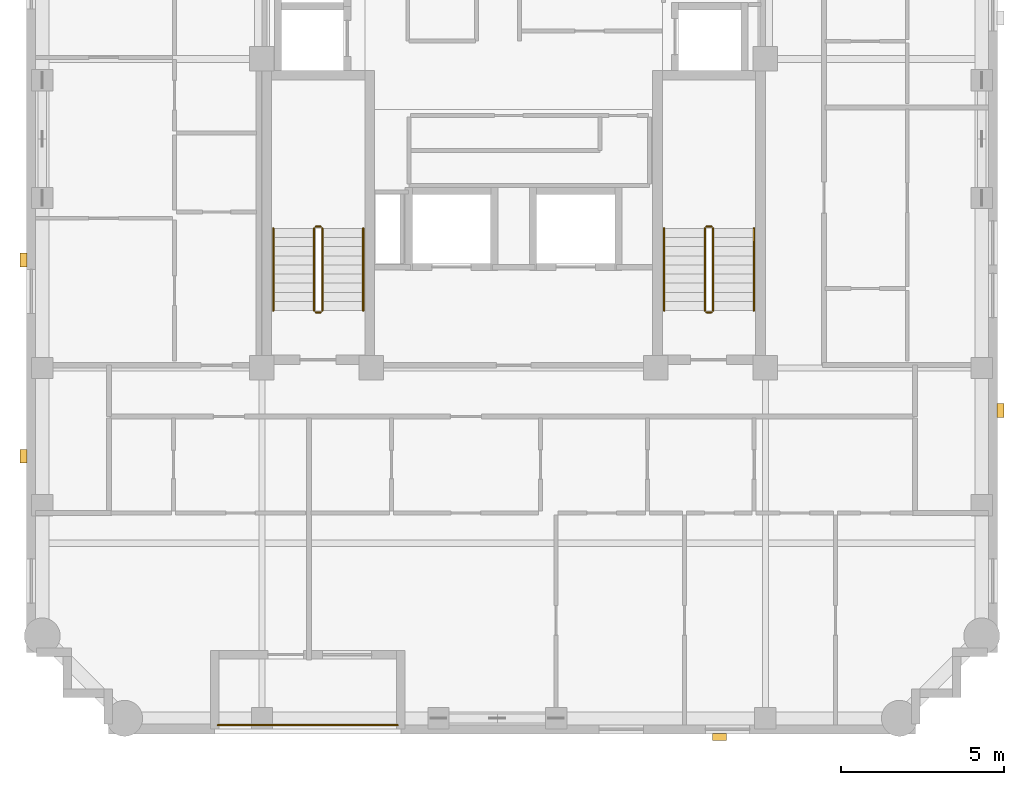
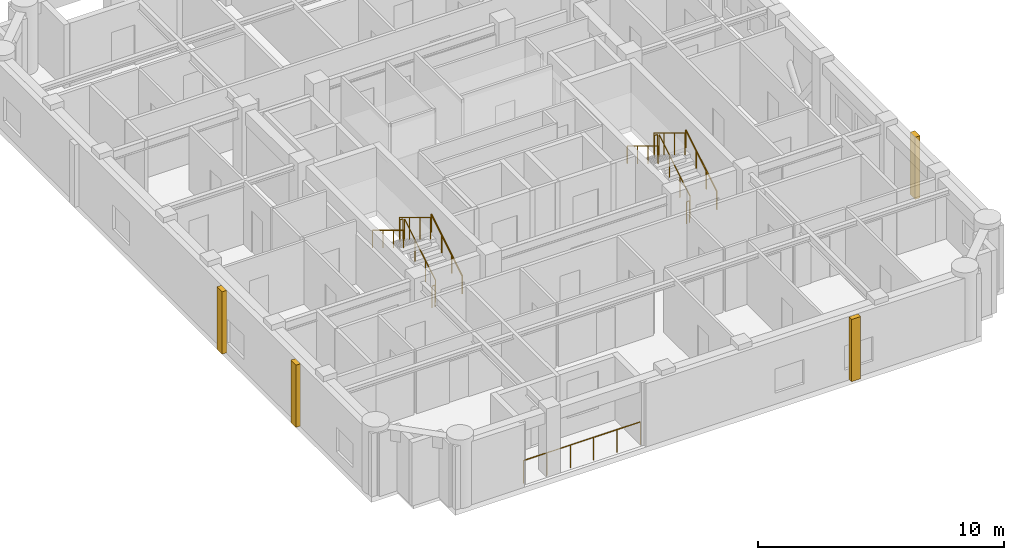
# One storey, part 9 of 10: 13 railings, 4 coverings.
"""IFC4 building model written with IfcOpenShell, lengths in metres."""

from ifc_helpers import new_model, si_unit, derived_unit, direction, frame, origin, origin_2d, place, context, subcontext, project, spatial, rectangle, circle, extrude, material, layer, layer_set, type_object, element, save


model = new_model("IFC4")

# Units and contexts
model_context = context("Model", 3, precision=1e-05, world=origin(), true_north=direction((0.0, 1.0)))
body_context = subcontext(model_context, "Body", "Model", "MODEL_VIEW")
ifc_project = project(units=[si_unit("LENGTHUNIT", "METRE"), si_unit("AREAUNIT", "SQUARE_METRE"), si_unit("VOLUMEUNIT", "CUBIC_METRE"), si_unit("PLANEANGLEUNIT", "RADIAN"), si_unit("MASSUNIT", "GRAM", prefix="KILO"), derived_unit("THERMALTRANSMITTANCEUNIT", [(si_unit("MASSUNIT", "GRAM", prefix="KILO"), 1), (si_unit("TIMEUNIT", "SECOND"), -3), (si_unit("THERMODYNAMICTEMPERATUREUNIT", "KELVIN"), -1)])], contexts=[model_context])

# Site, building, storey
site_placement = place(None, origin())
site = spatial("IfcSite", under=ifc_project, at=site_placement, CompositionType="ELEMENT")
building_placement = place(site_placement, origin())
building = spatial("IfcBuilding", under=site, at=building_placement, Name="Korrvale Station Residences", CompositionType="ELEMENT")
storey_placement = place(building_placement, frame((0.0, 0.0, 217.300048828125)))
storey = spatial("IfcBuildingStorey", under=building, at=storey_placement, Name="L63", CompositionType="ELEMENT", Elevation=217.300048828125)

# Coverings
ifc_material_1 = material(Name="Architectural precast concrete C45/55", Category="concrete")
ifc_layer = layer(ifc_material_1, 0.219970703125, Name="Architectural precast concrete C45/55")
ifc_layer_set = layer_set([ifc_layer], Name="Architectural precast concrete C45/55")
covering_type = type_object("IfcCoveringType", Name="COV-PIER-400", PredefinedType="CLADDING", material=ifc_layer_set)
for number, where, z_axis, x_axis, name in (
    (1, (31.800048828125, 3.7099609375, 0.02490234375), (0.0, 0.0, 1.0), (1.0, 0.0, 0.0), "L63 Architectural Precast Facade Pier 01"),
    (2, (10.510009765625, 12.300048828125, 0.02490234375), (0.0, 0.0, 1.0), (0.0, 1.0, 0.0), "L63 Architectural Precast Facade Pier 02"),
    (3, (10.510009765625, 18.300048828125, 0.02490234375), (0.0, 0.0, 1.0), (0.0, 1.0, 0.0), "L63 Architectural Precast Facade Pier 03"),
    (4, (40.389892578125, 13.699951171875, 0.02490234375), (0.0, 0.0, 1.0), (0.0, 1.0, 0.0), "L63 Architectural Precast Facade Pier 07"),
):
    element("IfcCovering", number, at=place(storey_placement, frame(where, z_axis=z_axis, x_axis=x_axis)), inside=storey, type_object=covering_type, Name=name, PredefinedType="CLADDING", context=body_context, shape_type="SweptSolid", body=[
        extrude(rectangle(XDim=0.419921875, YDim=0.219970703125, at=origin_2d()), origin(), (0.0, 0.0, 1.0), 3.090087890625),
    ])

# Railings
ifc_material_2 = material(Name="Powder-coated aluminium picket loggia guard", Category="aluminium")
railing_type_1 = type_object("IfcRailingType", Name="RLG-BAL-1150", PredefinedType="GUARDRAIL", material=ifc_material_2)
railing_1_placement = place(storey_placement, frame((16.449951171875, 4.070068359375, 0.0)))
element("IfcRailing", 5, at=railing_1_placement, inside=storey, type_object=railing_type_1, Name="L63 Recessed Loggia Guardrail BAL-L63-S1", PredefinedType="GUARDRAIL", context=body_context, shape_type="SweptSolid", body=[
    extrude(circle(Radius=0.02392578125, at=origin_2d()), frame((0.0, 0.0, 1.1259765625), z_axis=(1.0, 0.0, 0.0), x_axis=(0.0, 1.0, 0.0)), (0.0, 0.0, 1.0), 5.5),
    extrude(circle(Radius=0.02099609375, at=origin_2d()), origin(), (0.0, 0.0, 1.0), 1.101806640625),
    extrude(circle(Radius=0.02099609375, at=origin_2d()), frame((1.10009765625, 0.0, 0.0)), (0.0, 0.0, 1.0), 1.101806640625),
    extrude(circle(Radius=0.02099609375, at=origin_2d()), frame((2.199951171875, 0.0, 0.0)), (0.0, 0.0, 1.0), 1.101806640625),
    extrude(circle(Radius=0.02099609375, at=origin_2d()), frame((3.300048828125, 0.0, 0.0)), (0.0, 0.0, 1.0), 1.101806640625),
    extrude(circle(Radius=0.02099609375, at=origin_2d()), frame((4.39990234375, 0.0, 0.0)), (0.0, 0.0, 1.0), 1.101806640625),
    extrude(circle(Radius=0.02099609375, at=origin_2d()), frame((5.5, 0.0, 0.0)), (0.0, 0.0, 1.0), 1.101806640625),
])
ifc_material_3 = material(Name="Brushed stainless-steel continuous stair handrail", Category="steel")
railing_type_2 = type_object("IfcRailingType", Name="RLG-SHND-900", PredefinedType="HANDRAIL", material=ifc_material_3)
railing_2_placement = place(storey_placement, frame((20.89990234375, 16.75, 0.169921875)))
element("IfcRailing", 6, at=railing_2_placement, inside=storey, type_object=railing_type_2, Name="L63 ST-1 stair handrail 1", PredefinedType="HANDRAIL", context=body_context, shape_type="SweptSolid", body=[
    extrude(circle(Radius=0.02392578125, at=origin_2d()), frame((0.0, 0.0, 0.8759765625), z_axis=(0.0, 0.85478489116, 0.518982456201), x_axis=(-1.0, 0.0, 0.0)), (0.0, 0.0, 1.0), 2.9482421875),
    extrude(circle(Radius=0.02099609375, at=origin_2d()), origin(), (0.0, 0.0, 1.0), 0.851806640625),
    extrude(circle(Radius=0.02099609375, at=origin_2d()), frame((0.0, 0.840087890625, 0.510009765625)), (0.0, 0.0, 1.0), 0.851806640625),
    extrude(circle(Radius=0.02099609375, at=origin_2d()), frame((0.0, 1.679931640625, 1.02001953125)), (0.0, 0.0, 1.0), 0.851806640625),
    extrude(circle(Radius=0.02099609375, at=origin_2d()), frame((0.0, 2.52001953125, 1.530029296875)), (0.0, 0.0, 1.0), 0.851806640625),
])
railing_3_placement = place(storey_placement, frame((18.14990234375, 19.27001953125, 1.869873046875)))
element("IfcRailing", 7, at=railing_3_placement, inside=storey, type_object=railing_type_2, Name="L63 ST-1 stair handrail 2", PredefinedType="HANDRAIL", context=body_context, shape_type="SweptSolid", body=[
    extrude(circle(Radius=0.02392578125, at=origin_2d()), frame((0.0, 0.0, 0.8759765625), z_axis=(0.0, -0.85478489116, 0.518982456201), x_axis=(1.0, 0.0, 0.0)), (0.0, 0.0, 1.0), 2.9482421875),
    extrude(circle(Radius=0.02099609375, at=origin_2d()), origin(), (0.0, 0.0, 1.0), 0.851806640625),
    extrude(circle(Radius=0.02099609375, at=origin_2d()), frame((0.0, -0.840087890625, 0.510009765625)), (0.0, 0.0, 1.0), 0.851806640625),
    extrude(circle(Radius=0.02099609375, at=origin_2d()), frame((0.0, -1.679931640625, 1.02001953125)), (0.0, 0.0, 1.0), 0.851806640625),
    extrude(circle(Radius=0.02099609375, at=origin_2d()), frame((0.0, -2.52001953125, 1.530029296875)), (0.0, 0.0, 1.0), 0.851806640625),
])
railing_4_placement = place(storey_placement, frame((32.85009765625, 16.75, 0.169921875)))
element("IfcRailing", 8, at=railing_4_placement, inside=storey, type_object=railing_type_2, Name="L63 ST-2 stair handrail 1", PredefinedType="HANDRAIL", context=body_context, shape_type="SweptSolid", body=[
    extrude(circle(Radius=0.02392578125, at=origin_2d()), frame((0.0, 0.0, 0.8759765625), z_axis=(0.0, 0.85478489116, 0.518982456201), x_axis=(-1.0, 0.0, 0.0)), (0.0, 0.0, 1.0), 2.9482421875),
    extrude(circle(Radius=0.02099609375, at=origin_2d()), origin(), (0.0, 0.0, 1.0), 0.851806640625),
    extrude(circle(Radius=0.02099609375, at=origin_2d()), frame((0.0, 0.840087890625, 0.510009765625)), (0.0, 0.0, 1.0), 0.851806640625),
    extrude(circle(Radius=0.02099609375, at=origin_2d()), frame((0.0, 1.679931640625, 1.02001953125)), (0.0, 0.0, 1.0), 0.851806640625),
    extrude(circle(Radius=0.02099609375, at=origin_2d()), frame((0.0, 2.52001953125, 1.530029296875)), (0.0, 0.0, 1.0), 0.851806640625),
])
railing_5_placement = place(storey_placement, frame((30.10009765625, 19.27001953125, 1.869873046875)))
element("IfcRailing", 9, at=railing_5_placement, inside=storey, type_object=railing_type_2, Name="L63 ST-2 stair handrail 2", PredefinedType="HANDRAIL", context=body_context, shape_type="SweptSolid", body=[
    extrude(circle(Radius=0.02392578125, at=origin_2d()), frame((0.0, 0.0, 0.8759765625), z_axis=(0.0, -0.85478489116, 0.518982456201), x_axis=(1.0, 0.0, 0.0)), (0.0, 0.0, 1.0), 2.9482421875),
    extrude(circle(Radius=0.02099609375, at=origin_2d()), origin(), (0.0, 0.0, 1.0), 0.851806640625),
    extrude(circle(Radius=0.02099609375, at=origin_2d()), frame((0.0, -0.840087890625, 0.510009765625)), (0.0, 0.0, 1.0), 0.851806640625),
    extrude(circle(Radius=0.02099609375, at=origin_2d()), frame((0.0, -1.679931640625, 1.02001953125)), (0.0, 0.0, 1.0), 0.851806640625),
    extrude(circle(Radius=0.02099609375, at=origin_2d()), frame((0.0, -2.52001953125, 1.530029296875)), (0.0, 0.0, 1.0), 0.851806640625),
])
ifc_material_4 = material(Name="Galvanised painted tubular steel stair guard", Category="steel")
railing_type_3 = type_object("IfcRailingType", Name="RLG-STR-1100", PredefinedType="GUARDRAIL", material=ifc_material_4)
railing_6_placement = place(storey_placement, frame((19.64990234375, 16.75, 0.169921875)))
element("IfcRailing", 10, at=railing_6_placement, inside=storey, type_object=railing_type_3, Name="L63 ST-1 stair guard 1", PredefinedType="GUARDRAIL", context=body_context, shape_type="SweptSolid", body=[
    extrude(circle(Radius=0.02392578125, at=origin_2d()), frame((0.0, 0.0, 1.076171875), z_axis=(0.0, 0.85478489116, 0.518982456201), x_axis=(-1.0, 0.0, 0.0)), (0.0, 0.0, 1.0), 2.9482421875),
    extrude(circle(Radius=0.02099609375, at=origin_2d()), origin(), (0.0, 0.0, 1.0), 1.052001953125),
    extrude(circle(Radius=0.02099609375, at=origin_2d()), frame((0.0, 0.840087890625, 0.510009765625)), (0.0, 0.0, 1.0), 1.052001953125),
    extrude(circle(Radius=0.02099609375, at=origin_2d()), frame((0.0, 1.679931640625, 1.02001953125)), (0.0, 0.0, 1.0), 1.052001953125),
    extrude(circle(Radius=0.02099609375, at=origin_2d()), frame((0.0, 2.52001953125, 1.530029296875)), (0.0, 0.0, 1.0), 1.052001953125),
])
railing_7_placement = place(storey_placement, frame((19.60009765625, 19.320068359375, 1.699951171875)))
element("IfcRailing", 11, at=railing_7_placement, inside=storey, type_object=railing_type_3, Name="L63 ST-1 stair guard 2", PredefinedType="GUARDRAIL", context=body_context, shape_type="SweptSolid", body=[
    extrude(circle(Radius=0.02392578125, at=origin_2d()), frame((0.0, 0.0, 1.076171875), z_axis=(-1.0, 0.0, 0.0), x_axis=(0.0, -1.0, 0.0)), (0.0, 0.0, 1.0), 0.150146484375),
    extrude(circle(Radius=0.02099609375, at=origin_2d()), origin(), (0.0, 0.0, 1.0), 1.052001953125),
    extrude(circle(Radius=0.02099609375, at=origin_2d()), frame((-0.150146484375, 0.0, 0.0)), (0.0, 0.0, 1.0), 1.052001953125),
])
railing_8_placement = place(storey_placement, frame((19.39990234375, 19.27001953125, 1.869873046875)))
element("IfcRailing", 12, at=railing_8_placement, inside=storey, type_object=railing_type_3, Name="L63 ST-1 stair guard 3", PredefinedType="GUARDRAIL", context=body_context, shape_type="SweptSolid", body=[
    extrude(circle(Radius=0.02392578125, at=origin_2d()), frame((0.0, 0.0, 1.076171875), z_axis=(0.0, -0.85478489116, 0.518982456201), x_axis=(1.0, 0.0, 0.0)), (0.0, 0.0, 1.0), 2.9482421875),
    extrude(circle(Radius=0.02099609375, at=origin_2d()), origin(), (0.0, 0.0, 1.0), 1.052001953125),
    extrude(circle(Radius=0.02099609375, at=origin_2d()), frame((0.0, -0.840087890625, 0.510009765625)), (0.0, 0.0, 1.0), 1.052001953125),
    extrude(circle(Radius=0.02099609375, at=origin_2d()), frame((0.0, -1.679931640625, 1.02001953125)), (0.0, 0.0, 1.0), 1.052001953125),
    extrude(circle(Radius=0.02099609375, at=origin_2d()), frame((0.0, -2.52001953125, 1.530029296875)), (0.0, 0.0, 1.0), 1.052001953125),
])
railing_9_placement = place(storey_placement, frame((19.60009765625, 16.699951171875, 0.0)))
element("IfcRailing", 13, at=railing_9_placement, inside=storey, type_object=railing_type_3, Name="L63 ST-1 stair guard 4", PredefinedType="GUARDRAIL", context=body_context, shape_type="SweptSolid", body=[
    extrude(circle(Radius=0.02392578125, at=origin_2d()), frame((0.0, 0.0, 1.076171875), z_axis=(-1.0, 0.0, 0.0), x_axis=(0.0, -1.0, 0.0)), (0.0, 0.0, 1.0), 0.150146484375),
    extrude(circle(Radius=0.02099609375, at=origin_2d()), origin(), (0.0, 0.0, 1.0), 1.052001953125),
    extrude(circle(Radius=0.02099609375, at=origin_2d()), frame((-0.150146484375, 0.0, 0.0)), (0.0, 0.0, 1.0), 1.052001953125),
])
railing_10_placement = place(storey_placement, frame((31.60009765625, 16.75, 0.169921875)))
element("IfcRailing", 14, at=railing_10_placement, inside=storey, type_object=railing_type_3, Name="L63 ST-2 stair guard 1", PredefinedType="GUARDRAIL", context=body_context, shape_type="SweptSolid", body=[
    extrude(circle(Radius=0.02392578125, at=origin_2d()), frame((0.0, 0.0, 1.076171875), z_axis=(0.0, 0.85478489116, 0.518982456201), x_axis=(-1.0, 0.0, 0.0)), (0.0, 0.0, 1.0), 2.9482421875),
    extrude(circle(Radius=0.02099609375, at=origin_2d()), origin(), (0.0, 0.0, 1.0), 1.052001953125),
    extrude(circle(Radius=0.02099609375, at=origin_2d()), frame((0.0, 0.840087890625, 0.510009765625)), (0.0, 0.0, 1.0), 1.052001953125),
    extrude(circle(Radius=0.02099609375, at=origin_2d()), frame((0.0, 1.679931640625, 1.02001953125)), (0.0, 0.0, 1.0), 1.052001953125),
    extrude(circle(Radius=0.02099609375, at=origin_2d()), frame((0.0, 2.52001953125, 1.530029296875)), (0.0, 0.0, 1.0), 1.052001953125),
])
railing_11_placement = place(storey_placement, frame((31.550048828125, 19.320068359375, 1.699951171875)))
element("IfcRailing", 15, at=railing_11_placement, inside=storey, type_object=railing_type_3, Name="L63 ST-2 stair guard 2", PredefinedType="GUARDRAIL", context=body_context, shape_type="SweptSolid", body=[
    extrude(circle(Radius=0.02392578125, at=origin_2d()), frame((0.0, 0.0, 1.076171875), z_axis=(-1.0, 0.0, 0.0), x_axis=(0.0, -1.0, 0.0)), (0.0, 0.0, 1.0), 0.150146484375),
    extrude(circle(Radius=0.02099609375, at=origin_2d()), origin(), (0.0, 0.0, 1.0), 1.052001953125),
    extrude(circle(Radius=0.02099609375, at=origin_2d()), frame((-0.150146484375, 0.0, 0.0)), (0.0, 0.0, 1.0), 1.052001953125),
])
railing_12_placement = place(storey_placement, frame((31.35009765625, 19.27001953125, 1.869873046875)))
element("IfcRailing", 16, at=railing_12_placement, inside=storey, type_object=railing_type_3, Name="L63 ST-2 stair guard 3", PredefinedType="GUARDRAIL", context=body_context, shape_type="SweptSolid", body=[
    extrude(circle(Radius=0.02392578125, at=origin_2d()), frame((0.0, 0.0, 1.076171875), z_axis=(0.0, -0.85478489116, 0.518982456201), x_axis=(1.0, 0.0, 0.0)), (0.0, 0.0, 1.0), 2.9482421875),
    extrude(circle(Radius=0.02099609375, at=origin_2d()), origin(), (0.0, 0.0, 1.0), 1.052001953125),
    extrude(circle(Radius=0.02099609375, at=origin_2d()), frame((0.0, -0.840087890625, 0.510009765625)), (0.0, 0.0, 1.0), 1.052001953125),
    extrude(circle(Radius=0.02099609375, at=origin_2d()), frame((0.0, -1.679931640625, 1.02001953125)), (0.0, 0.0, 1.0), 1.052001953125),
    extrude(circle(Radius=0.02099609375, at=origin_2d()), frame((0.0, -2.52001953125, 1.530029296875)), (0.0, 0.0, 1.0), 1.052001953125),
])
railing_13_placement = place(storey_placement, frame((31.550048828125, 16.699951171875, 0.0)))
element("IfcRailing", 17, at=railing_13_placement, inside=storey, type_object=railing_type_3, Name="L63 ST-2 stair guard 4", PredefinedType="GUARDRAIL", context=body_context, shape_type="SweptSolid", body=[
    extrude(circle(Radius=0.02392578125, at=origin_2d()), frame((0.0, 0.0, 1.076171875), z_axis=(-1.0, 0.0, 0.0), x_axis=(0.0, -1.0, 0.0)), (0.0, 0.0, 1.0), 0.150146484375),
    extrude(circle(Radius=0.02099609375, at=origin_2d()), origin(), (0.0, 0.0, 1.0), 1.052001953125),
    extrude(circle(Radius=0.02099609375, at=origin_2d()), frame((-0.150146484375, 0.0, 0.0)), (0.0, 0.0, 1.0), 1.052001953125),
])

save(model, "model.ifc")
